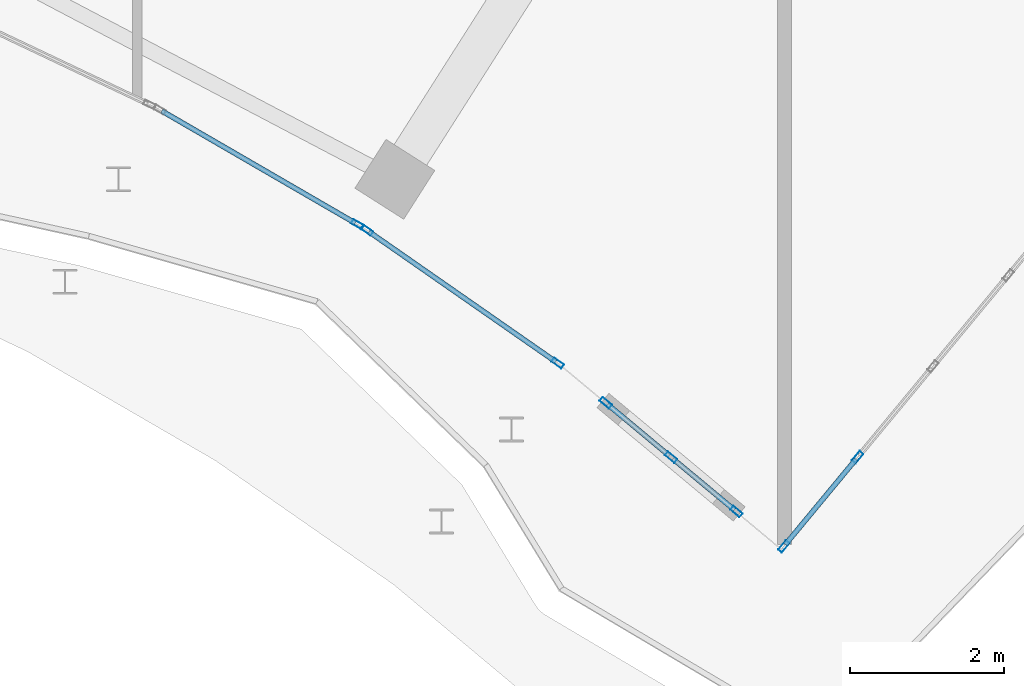
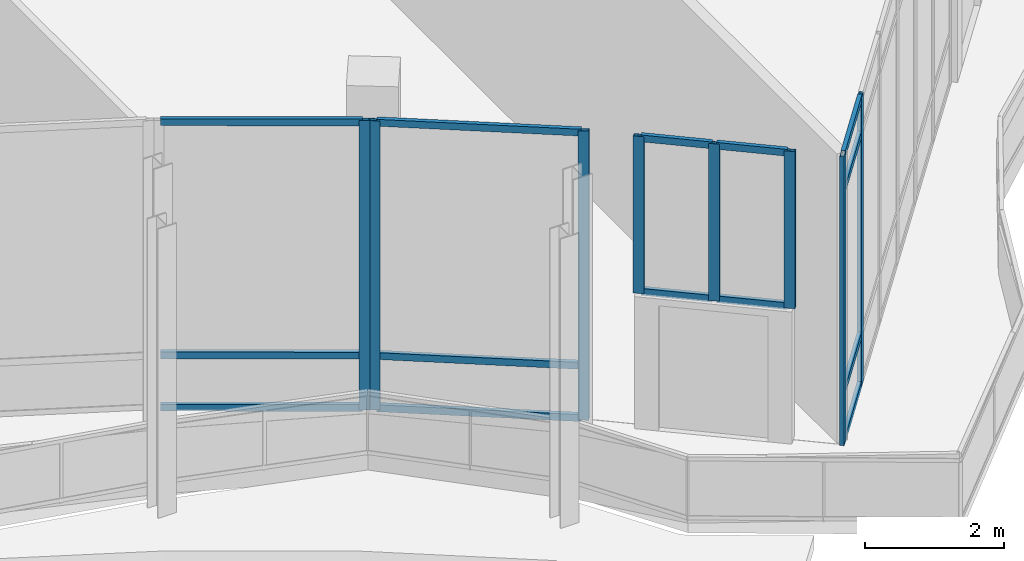
# One storey, part 97 of 158: 22 members, 4 elements without a shape of their own.
"""IFC4 building model written with IfcOpenShell, lengths in metres."""

import ifcopenshell
import ifcopenshell.guid

model = None  # the IFC model being written
_history = None  # IfcOwnerHistory: only IFC2X3 demands one
_inside = {}  # id of a spatial element -> (the spatial element, [elements in it])
_under = {}  # id of a project, library or spatial element -> (it, [spatial elements below it])
_declared = {}  # id of a project -> (the project, [libraries it declares])
_typed = {}  # id of a type object -> (the type object, [elements of that type])
_made_of = {}  # id of a material, layer set ... -> (it, [elements and type objects made of it])


def new_model(schema):
    """Start an empty IFC model of exactly this schema.

    Asked for "IFC4X3", IfcOpenShell would pick the latest addendum, in which some entities
    have other attributes; the version numbers below select the first issue.
    IFC2X3 requires an IfcOwnerHistory on every rooted entity: one is made here for all.
    """
    global model, _history
    if schema == "IFC4X3":
        model = ifcopenshell.file(schema_version=(4, 3, 0, 0))
    else:
        model = ifcopenshell.file(schema=schema)
    _inside.clear()
    _under.clear()
    _declared.clear()
    _typed.clear()
    _made_of.clear()
    _history = None
    if model.schema == "IFC2X3":
        org = make("IfcOrganization", Name="unknown")
        user = make(
            "IfcPersonAndOrganization",
            ThePerson=make("IfcPerson", FamilyName="unknown"),
            TheOrganization=org,
        )
        app = make(
            "IfcApplication",
            ApplicationDeveloper=org,
            Version="unknown",
            ApplicationFullName="unknown",
            ApplicationIdentifier="unknown",
        )
        _history = make(
            "IfcOwnerHistory",
            OwningUser=user,
            OwningApplication=app,
            ChangeAction="ADDED",
            CreationDate=0,
        )
    return model


def make(cls, **values):
    """One entity of the class cls with the attributes given. An attribute that is None is left unset."""
    return model.create_entity(
        cls, **{name: value for name, value in values.items() if value is not None}
    )


def rooted(cls, **values):
    """An entity with a GlobalId (a new one), such as an element, a storey or a relation."""
    return make(cls, GlobalId=ifcopenshell.guid.new(), OwnerHistory=_history, **values)


def si_unit(unit_type, name, prefix=None):
    """IfcSIUnit, for example si_unit("LENGTHUNIT", "METRE", prefix="MILLI")."""
    return make("IfcSIUnit", UnitType=unit_type, Prefix=prefix, Name=name)


def assignment(units):
    """IfcUnitAssignment: the units of a project."""
    return None if units is None else make("IfcUnitAssignment", Units=units)


def point(xyz):
    """IfcCartesianPoint."""
    return None if xyz is None else make("IfcCartesianPoint", Coordinates=xyz)


def direction(xyz):
    """IfcDirection."""
    return None if xyz is None else make("IfcDirection", DirectionRatios=xyz)


def frame(location, z_axis=None, x_axis=None):
    """IfcAxis2Placement3D, a coordinate frame: its origin and axes. An axis left out is left unset."""
    return make(
        "IfcAxis2Placement3D",
        Location=point(location),
        Axis=direction(z_axis),
        RefDirection=direction(x_axis),
    )


def frame_2d(location, x_axis=None):
    """IfcAxis2Placement2D, a coordinate frame in the plane: its origin and x axis."""
    return make(
        "IfcAxis2Placement2D", Location=point(location), RefDirection=direction(x_axis)
    )


def origin():
    """The frame at (0, 0, 0) with its axes left unset."""
    return frame((0.0, 0.0, 0.0))


def origin_2d():
    """The frame at (0, 0) in the plane with its x axis left unset."""
    return frame_2d((0.0, 0.0))


def place(relative_to, where):
    """IfcLocalPlacement: puts the frame where relative to a parent placement (None: the world)."""
    return make(
        "IfcLocalPlacement", PlacementRelTo=relative_to, RelativePlacement=where
    )


def context(
    kind, dimensions, precision=None, world=None, true_north=None, identifier=None
):
    """IfcGeometricRepresentationContext, for example the 3D "Model" context."""
    return make(
        "IfcGeometricRepresentationContext",
        ContextIdentifier=identifier,
        ContextType=kind,
        CoordinateSpaceDimension=dimensions,
        Precision=precision,
        WorldCoordinateSystem=world,
        TrueNorth=true_north,
    )


def subcontext(parent, identifier, kind, view, scale=None):
    """IfcGeometricRepresentationSubContext, for example "Body" below "Model"."""
    return make(
        "IfcGeometricRepresentationSubContext",
        ContextIdentifier=identifier,
        ContextType=kind,
        ParentContext=parent,
        TargetScale=scale,
        TargetView=view,
    )


def project(units=None, contexts=None):
    """IfcProject with its units and contexts."""
    return rooted(
        "IfcProject",
        Name="project",
        RepresentationContexts=contexts,
        UnitsInContext=assignment(units),
    )


def spatial(cls, under=None, at=None, **own):
    """A site, building, storey or space (cls), placed at a placement, below another one or the project."""
    s = rooted(cls, ObjectPlacement=at, **own)
    if under is not None:
        _under.setdefault(under.id(), (under, []))[1].append(s)
    return s


def profile(cls, at=None, kind="AREA", **sizes):
    """A parametric profile (cls). Its sizes go by their IFC names, for example OverallWidth=200.0."""
    return make(cls, ProfileType=kind, Position=at, **sizes)


def hollow_rectangle(**sizes):
    """IfcRectangleHollowProfileDef."""
    return profile("IfcRectangleHollowProfileDef", **sizes)


def extrude(swept, where, along, depth):
    """IfcExtrudedAreaSolid: the profile swept, set in the frame where, extruded along a direction by depth."""
    return make(
        "IfcExtrudedAreaSolid",
        SweptArea=swept,
        Position=where,
        ExtrudedDirection=direction(along),
        Depth=depth,
    )


def shape(context_of_items, identifier, shape_type, items):
    """IfcShapeRepresentation: the items that make up one representation, for example the "Body"."""
    return make(
        "IfcShapeRepresentation",
        ContextOfItems=context_of_items,
        RepresentationIdentifier=identifier,
        RepresentationType=shape_type,
        Items=items,
    )


def material(Name=None, Category=None):
    """IfcMaterial."""
    return make("IfcMaterial", Name=Name, Category=Category)


def material_profile(
    of_material, cross_section, Name=None, Category=None, Priority=None
):
    """IfcMaterialProfile: a cross section and its material."""
    return make(
        "IfcMaterialProfile",
        Name=Name,
        Material=of_material,
        Profile=cross_section,
        Priority=Priority,
        Category=Category,
    )


def profile_set(profiles, Name=None, composite=None):
    """IfcMaterialProfileSet."""
    return make(
        "IfcMaterialProfileSet",
        Name=Name,
        MaterialProfiles=profiles,
        CompositeProfile=composite,
    )


def made_of(thing, what):
    """Note that an element or type object is made of a material, layer set ...; save() writes the relation."""
    if what is not None:
        _made_of.setdefault(what.id(), (what, []))[1].append(thing)
    return thing


def type_object(cls, material=None, **own):
    """A type object (cls), such as IfcWallType, which elements share."""
    return made_of(rooted(cls, **own), material)


def element(
    cls,
    number,
    at=None,
    inside=None,
    cuts=None,
    type_object=None,
    material=None,
    context=None,
    identifier="Body",
    shape_type=None,
    held_by="IfcProductDefinitionShape",
    body=None,
    shapes=None,
    **own,
):
    """One element of the class cls, such as IfcWall. Its Tag is "e" and its number.

    at: its placement. inside: the storey or other place that contains it. cuts: it is an
    opening in that element (IfcRelVoidsElement). A single representation is given by context,
    identifier, shape_type and body (its items); several are given by shapes. held_by: the class
    of the entity that holds the representations. save() writes the other relations.
    """
    e = rooted(cls, Tag="e%d" % number, ObjectPlacement=at, **own)
    if body is not None:
        shapes = [shape(context, identifier, shape_type, body)]
    if shapes is not None:
        e.Representation = make(held_by, Representations=shapes)
    if inside is not None:
        _inside.setdefault(inside.id(), (inside, []))[1].append(e)
    if cuts is not None:
        rooted(
            "IfcRelVoidsElement", RelatingBuildingElement=cuts, RelatedOpeningElement=e
        )
    if type_object is not None:
        _typed.setdefault(type_object.id(), (type_object, []))[1].append(e)
    return made_of(e, material)


def aggregate(whole, parts):
    """IfcRelAggregates: a whole, such as a stair, and the parts it consists of."""
    return rooted("IfcRelAggregates", RelatingObject=whole, RelatedObjects=parts)


def save(model, path):
    """Write the relations noted so far, then the file.

    IfcRelAggregates (storeys below a building ...), IfcRelContainedInSpatialStructure (elements
    in a storey), IfcRelDefinesByType, IfcRelAssociatesMaterial and IfcRelDeclares: one each for
    every whole, place, type object, material and project.
    """
    for whole, parts in _under.values():
        aggregate(whole, parts)
    for where, things in _inside.values():
        rooted(
            "IfcRelContainedInSpatialStructure",
            RelatedElements=things,
            RelatingStructure=where,
        )
    for kind, things in _typed.values():
        rooted("IfcRelDefinesByType", RelatedObjects=things, RelatingType=kind)
    for what, things in _made_of.values():
        rooted("IfcRelAssociatesMaterial", RelatedObjects=things, RelatingMaterial=what)
    for by, libraries in _declared.values():
        rooted("IfcRelDeclares", RelatingContext=by, RelatedDefinitions=libraries)
    model.write(path)


model = new_model("IFC4")

# Units and contexts
model_context = context("Model", 3, precision=1e-05, world=origin(), true_north=direction((0.0, 1.0)))
body_context = subcontext(model_context, "Body", "Model", "MODEL_VIEW")
ifc_project = project(units=[si_unit("LENGTHUNIT", "METRE"), si_unit("AREAUNIT", "SQUARE_METRE"), si_unit("VOLUMEUNIT", "CUBIC_METRE"), si_unit("PLANEANGLEUNIT", "RADIAN"), si_unit("MASSUNIT", "GRAM", prefix="KILO")], contexts=[model_context])

# Site, building, storey
site_placement = place(None, origin())
site = spatial("IfcSite", under=ifc_project, at=site_placement, CompositionType="ELEMENT")
building_placement = place(site_placement, origin())
building = spatial("IfcBuilding", under=site, at=building_placement, Name="Selatvlak General Hospital", CompositionType="ELEMENT")
storey_placement = place(building_placement, origin())
storey = spatial("IfcBuildingStorey", under=building, at=storey_placement, Name="L00", CompositionType="ELEMENT", Elevation=0.0)

# Curtain wall, members
ifc_material_1 = material(Name="Solar-control Low-E double glazing", Category="glass")
curtain_wall_type_1 = type_object("IfcCurtainWallType", Name="CW-CW-01", PredefinedType="USERDEFINED", material=ifc_material_1)
curtain_wall_1_placement = place(storey_placement, origin())
curtain_wall_1 = element("IfcCurtainWall", 1, at=curtain_wall_1_placement, inside=storey, type_object=curtain_wall_type_1, Name="Glazed facade curtain wall CW-L00-0022", ObjectType="UNITISED CURTAIN WALL", PredefinedType="USERDEFINED")
ifc_material_2 = material(Name="Dark anodised aluminium mullion", Category="aluminium")
ifc_material_profile_1 = material_profile(ifc_material_2, hollow_rectangle(XDim=0.06494140625, YDim=0.159912109375, WallThickness=0.00390625, at=origin_2d()), Name="AL-MUL 65x160x4")
ifc_profile_set_1 = profile_set([ifc_material_profile_1], Name="Dark anodised aluminium mullion")
member_type_1 = type_object("IfcMemberType", Name="CWM-01", PredefinedType="MULLION", material=ifc_profile_set_1)
member_1_placement = place(storey_placement, frame((166.550537109375, 45.15576171875, 0.0), z_axis=(0.0, 0.0, 1.0), x_axis=(0.770267232802, -0.637721247938, 0.0)))
member_1 = element("IfcMember", 2, at=member_1_placement, type_object=member_type_1, Name="CW-01 mullion 6", PredefinedType="MULLION", context=body_context, shape_type="SweptSolid", body=[
    extrude(hollow_rectangle(XDim=0.06494140625, YDim=0.159912109375, WallThickness=0.00390625, at=origin_2d()), origin(), (0.0, 0.0, 1.0), 5.080078125),
])
member_2_placement = place(storey_placement, frame((165.59375, 44.0, 0.0), z_axis=(0.0, 0.0, 1.0), x_axis=(0.770267232802, -0.637721247938, 0.0)))
member_2 = element("IfcMember", 3, at=member_2_placement, type_object=member_type_1, Name="CW-01 mullion 7", PredefinedType="MULLION", context=body_context, shape_type="SweptSolid", body=[
    extrude(hollow_rectangle(XDim=0.06494140625, YDim=0.159912109375, WallThickness=0.00390625, at=origin_2d()), origin(), (0.0, 0.0, 1.0), 5.080078125),
])

curtain_wall_type_2 = type_object("IfcCurtainWallType", Name="CW-CW-02", PredefinedType="USERDEFINED", material=ifc_material_1)
curtain_wall_2_placement = place(storey_placement, origin())
curtain_wall_2 = element("IfcCurtainWall", 4, at=curtain_wall_2_placement, inside=storey, type_object=curtain_wall_type_2, Name="Glazed facade curtain wall CW-L00-0023", ObjectType="UNITISED CURTAIN WALL", PredefinedType="USERDEFINED")
member_3_placement = place(storey_placement, frame((164.97705078125, 44.451904296875, 2.320068359375), z_axis=(0.0, 0.0, 1.0), x_axis=(-0.639837586001, -0.768510158385, 0.0)))
member_3 = element("IfcMember", 5, at=member_3_placement, type_object=member_type_1, Name="CW-02 mullion 1", PredefinedType="MULLION", context=body_context, shape_type="SweptSolid", body=[
    extrude(hollow_rectangle(XDim=0.06494140625, YDim=0.159912109375, WallThickness=0.00390625, at=origin_2d()), origin(), (0.0, 0.0, 1.0), 2.760009765625),
])
member_4_placement = place(storey_placement, frame((164.1298828125, 45.156982421875, 2.320068359375), z_axis=(0.0, 0.0, 1.0), x_axis=(-0.639837586001, -0.768510158385, 0.0)))
member_4 = element("IfcMember", 6, at=member_4_placement, type_object=member_type_1, Name="CW-02 mullion 2", PredefinedType="MULLION", context=body_context, shape_type="SweptSolid", body=[
    extrude(hollow_rectangle(XDim=0.06494140625, YDim=0.159912109375, WallThickness=0.00390625, at=origin_2d()), origin(), (0.0, 0.0, 1.0), 2.760009765625),
])
member_5_placement = place(storey_placement, frame((163.282958984375, 45.8623046875, 2.320068359375), z_axis=(0.0, 0.0, 1.0), x_axis=(-0.639837586001, -0.768510158385, 0.0)))
member_5 = element("IfcMember", 7, at=member_5_placement, type_object=member_type_1, Name="CW-02 mullion 3", PredefinedType="MULLION", context=body_context, shape_type="SweptSolid", body=[
    extrude(hollow_rectangle(XDim=0.06494140625, YDim=0.159912109375, WallThickness=0.00390625, at=origin_2d()), origin(), (0.0, 0.0, 1.0), 2.760009765625),
])

curtain_wall_3_placement = place(storey_placement, origin())
curtain_wall_3 = element("IfcCurtainWall", 8, at=curtain_wall_3_placement, inside=storey, type_object=curtain_wall_type_2, Name="Glazed facade curtain wall CW-L00-0024", ObjectType="UNITISED CURTAIN WALL", PredefinedType="USERDEFINED")
member_6_placement = place(storey_placement, frame((162.658447265625, 46.378662109375, 0.0), z_axis=(0.0, 0.0, 1.0), x_axis=(-0.571435222014, -0.820647175735, 0.0)))
member_6 = element("IfcMember", 9, at=member_6_placement, type_object=member_type_1, Name="CW-02 mullion 1", PredefinedType="MULLION", context=body_context, shape_type="SweptSolid", body=[
    extrude(hollow_rectangle(XDim=0.06494140625, YDim=0.159912109375, WallThickness=0.00390625, at=origin_2d()), origin(), (0.0, 0.0, 1.0), 5.080078125),
])
member_7_placement = place(storey_placement, frame((160.1826171875, 48.1025390625, 0.0), z_axis=(0.0, 0.0, 1.0), x_axis=(-0.571435222014, -0.820647175735, 0.0)))
member_7 = element("IfcMember", 10, at=member_7_placement, type_object=member_type_1, Name="CW-02 mullion 2", PredefinedType="MULLION", context=body_context, shape_type="SweptSolid", body=[
    extrude(hollow_rectangle(XDim=0.06494140625, YDim=0.159912109375, WallThickness=0.00390625, at=origin_2d()), origin(), (0.0, 0.0, 1.0), 5.080078125),
])

# Curtain wall, member
curtain_wall_4_placement = place(storey_placement, origin())
curtain_wall_4 = element("IfcCurtainWall", 11, at=curtain_wall_4_placement, inside=storey, type_object=curtain_wall_type_1, Name="Glazed facade curtain wall CW-L00-0025", ObjectType="UNITISED CURTAIN WALL", PredefinedType="USERDEFINED")
member_8_placement = place(storey_placement, frame((160.059814453125, 48.17919921875, 0.0), z_axis=(0.0, 0.0, 1.0), x_axis=(-0.501491093657, -0.865162807212, 0.0)))
member_8 = element("IfcMember", 12, at=member_8_placement, type_object=member_type_1, Name="CW-01 mullion 1", PredefinedType="MULLION", context=body_context, shape_type="SweptSolid", body=[
    extrude(hollow_rectangle(XDim=0.06494140625, YDim=0.159912109375, WallThickness=0.00390625, at=origin_2d()), origin(), (0.0, 0.0, 1.0), 5.080078125),
])

# Member
ifc_material_profile_2 = material_profile(ifc_material_2, hollow_rectangle(XDim=0.06494140625, YDim=0.1201171875, WallThickness=0.00390625, at=origin_2d()), Name="AL-TRN 65x120x4")
ifc_profile_set_2 = profile_set([ifc_material_profile_2], Name="Dark anodised aluminium mullion")
member_type_2 = type_object("IfcMemberType", Name="CWT-01", PredefinedType="USERDEFINED", material=ifc_profile_set_2)
member_9_placement = place(storey_placement, frame((166.52978515625, 45.130615234375, 0.032470703125), z_axis=(-0.637738287504, -0.770253125051, 0.0), x_axis=(0.770253125051, -0.637738287504, 0.0)))
member_9 = element("IfcMember", 13, at=member_9_placement, type_object=member_type_2, Name="CW-01 transom 6.1", ObjectType="TRANSOM", PredefinedType="USERDEFINED", context=body_context, shape_type="SweptSolid", body=[
    extrude(hollow_rectangle(XDim=0.06494140625, YDim=0.1201171875, WallThickness=0.00390625, at=origin_2d()), origin(), (0.0, 0.0, 1.0), 1.435302734375),
])

member_10_placement = place(storey_placement, frame((166.52978515625, 45.130615234375, 0.89990234375), z_axis=(-0.637738287504, -0.770253125051, 0.0), x_axis=(0.770253125051, -0.637738287504, 0.0)))
member_10 = element("IfcMember", 14, at=member_10_placement, type_object=member_type_2, Name="CW-01 transom 6.2", ObjectType="TRANSOM", PredefinedType="USERDEFINED", context=body_context, shape_type="SweptSolid", body=[
    extrude(hollow_rectangle(XDim=0.06494140625, YDim=0.1201171875, WallThickness=0.00390625, at=origin_2d()), origin(), (0.0, 0.0, 1.0), 1.435302734375),
])

member_11_placement = place(storey_placement, frame((166.52978515625, 45.130615234375, 4.429931640625), z_axis=(-0.637738287504, -0.770253125051, 0.0), x_axis=(0.770253125051, -0.637738287504, 0.0)))
member_11 = element("IfcMember", 15, at=member_11_placement, type_object=member_type_2, Name="CW-01 transom 6.3", ObjectType="TRANSOM", PredefinedType="USERDEFINED", context=body_context, shape_type="SweptSolid", body=[
    extrude(hollow_rectangle(XDim=0.06494140625, YDim=0.1201171875, WallThickness=0.00390625, at=origin_2d()), origin(), (0.0, 0.0, 1.0), 1.435302734375),
])

member_12_placement = place(storey_placement, frame((166.52978515625, 45.130615234375, 5.047607421875), z_axis=(-0.637738287504, -0.770253125051, 0.0), x_axis=(0.770253125051, -0.637738287504, 0.0)))
member_12 = element("IfcMember", 16, at=member_12_placement, type_object=member_type_2, Name="CW-01 transom 6.4", ObjectType="TRANSOM", PredefinedType="USERDEFINED", context=body_context, shape_type="SweptSolid", body=[
    extrude(hollow_rectangle(XDim=0.06494140625, YDim=0.1201171875, WallThickness=0.00390625, at=origin_2d()), origin(), (0.0, 0.0, 1.0), 1.435302734375),
])

aggregate(curtain_wall_1, [member_1, member_2, member_9, member_10, member_11, member_12])

member_13_placement = place(storey_placement, frame((164.9521484375, 44.47265625, 2.3525390625), z_axis=(-0.768549181579, 0.639790712261, 0.0), x_axis=(-0.639790712261, -0.768549181579, 0.0)))
member_13 = element("IfcMember", 17, at=member_13_placement, type_object=member_type_2, Name="CW-02 transom 1.1", ObjectType="TRANSOM", PredefinedType="USERDEFINED", context=body_context, shape_type="SweptSolid", body=[
    extrude(hollow_rectangle(XDim=0.06494140625, YDim=0.1201171875, WallThickness=0.00390625, at=origin_2d()), origin(), (0.0, 0.0, 1.0), 1.037109375),
])

member_14_placement = place(storey_placement, frame((164.9521484375, 44.47265625, 5.047607421875), z_axis=(-0.768549181579, 0.639790712261, 0.0), x_axis=(-0.639790712261, -0.768549181579, 0.0)))
member_14 = element("IfcMember", 18, at=member_14_placement, type_object=member_type_2, Name="CW-02 transom 1.2", ObjectType="TRANSOM", PredefinedType="USERDEFINED", context=body_context, shape_type="SweptSolid", body=[
    extrude(hollow_rectangle(XDim=0.06494140625, YDim=0.1201171875, WallThickness=0.00390625, at=origin_2d()), origin(), (0.0, 0.0, 1.0), 1.037109375),
])

member_15_placement = place(storey_placement, frame((164.10498046875, 45.177734375, 2.3525390625), z_axis=(-0.768549181579, 0.639790712261, 0.0), x_axis=(-0.639790712261, -0.768549181579, 0.0)))
member_15 = element("IfcMember", 19, at=member_15_placement, type_object=member_type_2, Name="CW-02 transom 2.1", ObjectType="TRANSOM", PredefinedType="USERDEFINED", context=body_context, shape_type="SweptSolid", body=[
    extrude(hollow_rectangle(XDim=0.06494140625, YDim=0.1201171875, WallThickness=0.00390625, at=origin_2d()), origin(), (0.0, 0.0, 1.0), 1.037109375),
])

member_16_placement = place(storey_placement, frame((164.10498046875, 45.177734375, 5.047607421875), z_axis=(-0.768549181579, 0.639790712261, 0.0), x_axis=(-0.639790712261, -0.768549181579, 0.0)))
member_16 = element("IfcMember", 20, at=member_16_placement, type_object=member_type_2, Name="CW-02 transom 2.2", ObjectType="TRANSOM", PredefinedType="USERDEFINED", context=body_context, shape_type="SweptSolid", body=[
    extrude(hollow_rectangle(XDim=0.06494140625, YDim=0.1201171875, WallThickness=0.00390625, at=origin_2d()), origin(), (0.0, 0.0, 1.0), 1.037109375),
])

aggregate(curtain_wall_2, [member_3, member_4, member_5, member_13, member_14, member_15, member_16])

member_17_placement = place(storey_placement, frame((162.631591796875, 46.397216796875, 0.032470703125), z_axis=(-0.820682603464, 0.571384340328, 0.0), x_axis=(-0.571384340328, -0.820682603464, 0.0)))
member_17 = element("IfcMember", 21, at=member_17_placement, type_object=member_type_2, Name="CW-02 transom 1.1", ObjectType="TRANSOM", PredefinedType="USERDEFINED", context=body_context, shape_type="SweptSolid", body=[
    extrude(hollow_rectangle(XDim=0.06494140625, YDim=0.1201171875, WallThickness=0.00390625, at=origin_2d()), origin(), (0.0, 0.0, 1.0), 2.95166015625),
])

member_18_placement = place(storey_placement, frame((162.631591796875, 46.397216796875, 0.949951171875), z_axis=(-0.820682603464, 0.571384340328, 0.0), x_axis=(-0.571384340328, -0.820682603464, 0.0)))
member_18 = element("IfcMember", 22, at=member_18_placement, type_object=member_type_2, Name="CW-02 transom 1.2", ObjectType="TRANSOM", PredefinedType="USERDEFINED", context=body_context, shape_type="SweptSolid", body=[
    extrude(hollow_rectangle(XDim=0.06494140625, YDim=0.1201171875, WallThickness=0.00390625, at=origin_2d()), origin(), (0.0, 0.0, 1.0), 2.95166015625),
])

member_19_placement = place(storey_placement, frame((162.631591796875, 46.397216796875, 5.047607421875), z_axis=(-0.820682603464, 0.571384340328, 0.0), x_axis=(-0.571384340328, -0.820682603464, 0.0)))
member_19 = element("IfcMember", 23, at=member_19_placement, type_object=member_type_2, Name="CW-02 transom 1.3", ObjectType="TRANSOM", PredefinedType="USERDEFINED", context=body_context, shape_type="SweptSolid", body=[
    extrude(hollow_rectangle(XDim=0.06494140625, YDim=0.1201171875, WallThickness=0.00390625, at=origin_2d()), origin(), (0.0, 0.0, 1.0), 2.95166015625),
])

aggregate(curtain_wall_3, [member_6, member_7, member_17, member_18, member_19])

member_20_placement = place(storey_placement, frame((160.03173828125, 48.195556640625, 0.032470703125), z_axis=(-0.865157453333, 0.501500329953, 0.0), x_axis=(-0.501500329953, -0.865157453333, 0.0)))
member_20 = element("IfcMember", 24, at=member_20_placement, type_object=member_type_2, Name="CW-01 transom 1.1", ObjectType="TRANSOM", PredefinedType="USERDEFINED", context=body_context, shape_type="SweptSolid", body=[
    extrude(hollow_rectangle(XDim=0.06494140625, YDim=0.1201171875, WallThickness=0.00390625, at=origin_2d()), origin(), (0.0, 0.0, 1.0), 2.90283203125),
])

member_21_placement = place(storey_placement, frame((160.03173828125, 48.195556640625, 0.949951171875), z_axis=(-0.865157453333, 0.501500329953, 0.0), x_axis=(-0.501500329953, -0.865157453333, 0.0)))
member_21 = element("IfcMember", 25, at=member_21_placement, type_object=member_type_2, Name="CW-01 transom 1.2", ObjectType="TRANSOM", PredefinedType="USERDEFINED", context=body_context, shape_type="SweptSolid", body=[
    extrude(hollow_rectangle(XDim=0.06494140625, YDim=0.1201171875, WallThickness=0.00390625, at=origin_2d()), origin(), (0.0, 0.0, 1.0), 2.90283203125),
])

member_22_placement = place(storey_placement, frame((160.03173828125, 48.195556640625, 5.047607421875), z_axis=(-0.865157453333, 0.501500329953, 0.0), x_axis=(-0.501500329953, -0.865157453333, 0.0)))
member_22 = element("IfcMember", 26, at=member_22_placement, type_object=member_type_2, Name="CW-01 transom 1.3", ObjectType="TRANSOM", PredefinedType="USERDEFINED", context=body_context, shape_type="SweptSolid", body=[
    extrude(hollow_rectangle(XDim=0.06494140625, YDim=0.1201171875, WallThickness=0.00390625, at=origin_2d()), origin(), (0.0, 0.0, 1.0), 2.90283203125),
])

aggregate(curtain_wall_4, [member_8, member_20, member_21, member_22])

save(model, "model.ifc")
